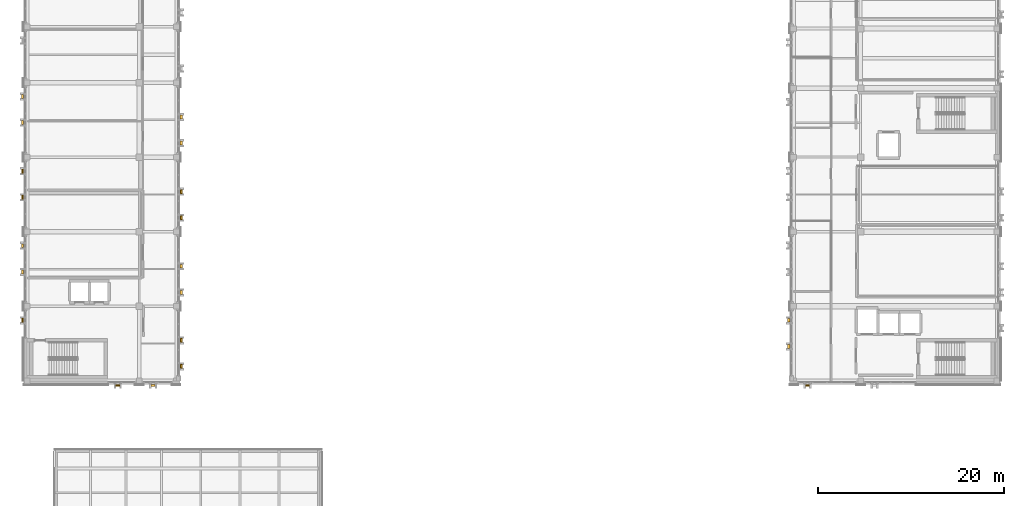
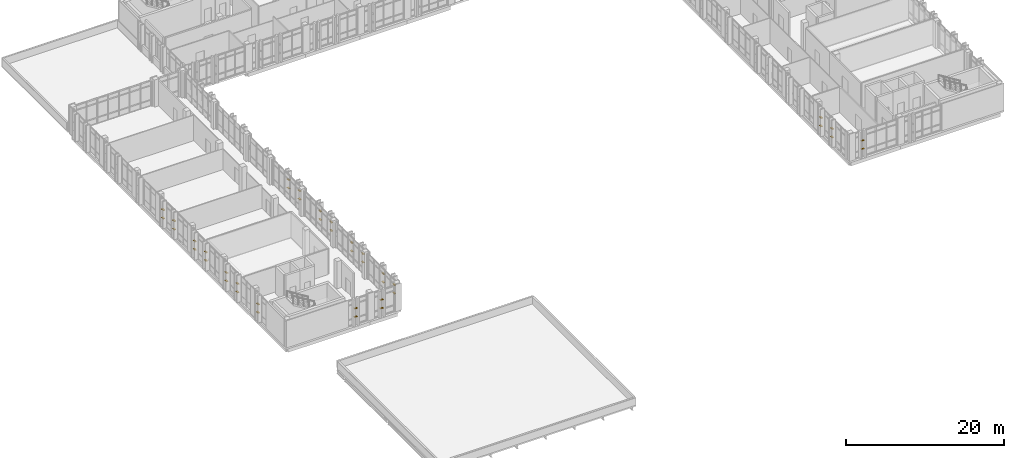
# One storey, part 87 of 90: 40 shading devices.
"""IFC4 building model written with IfcOpenShell, lengths in metres."""

from ifc_helpers import new_model, si_unit, direction, frame, origin, origin_2d, place, context, subcontext, project, spatial, rectangle, extrude, material, type_object, element, save


model = new_model("IFC4")

# Units and contexts
model_context = context("Model", 3, precision=1e-05, world=origin(), true_north=direction((0.0, 1.0)))
body_context = subcontext(model_context, "Body", "Model", "MODEL_VIEW")
ifc_project = project(units=[si_unit("LENGTHUNIT", "METRE"), si_unit("AREAUNIT", "SQUARE_METRE"), si_unit("VOLUMEUNIT", "CUBIC_METRE"), si_unit("PLANEANGLEUNIT", "RADIAN"), si_unit("MASSUNIT", "GRAM", prefix="KILO")], contexts=[model_context])

# Site, building, storey
site_placement = place(None, origin())
site = spatial("IfcSite", under=ifc_project, at=site_placement, CompositionType="ELEMENT")
building_placement = place(site_placement, origin())
building = spatial("IfcBuilding", under=site, at=building_placement, Name="Qalavern Law Courts", CompositionType="ELEMENT")
storey_placement = place(building_placement, frame((0.0, 0.0, 22.800048828125)))
storey = spatial("IfcBuildingStorey", under=building, at=storey_placement, Name="L05", CompositionType="ELEMENT", Elevation=22.800048828125)

# Shading devices
ifc_material = material(Name="Anodised aluminium", Category="aluminium")
shading_device_type_1 = type_object("IfcShadingDeviceType", Name="ENV-LOUV-1", PredefinedType="JALOUSIE", material=ifc_material)
for number, where, z_axis, x_axis, name in (
    (1, (12.10009765625, 40.902587890625, 1.345458984375), (0.0, 0.0, 1.0), (1.0, 0.0, 0.0), "Horizontal sun louvre V3-L05-0-1"),
    (2, (12.10009765625, 40.902587890625, 2.642333984375), (0.0, 0.0, 1.0), (1.0, 0.0, 0.0), "Horizontal sun louvre V3-L05-0-2"),
    (3, (18.91748046875, 42.949951171875, 1.345458984375), (0.0, 0.0, 1.0), (0.0, 1.0, 0.0), "Horizontal sun louvre V3-L05-0-1"),
    (4, (18.91748046875, 42.949951171875, 2.642333984375), (0.0, 0.0, 1.0), (0.0, 1.0, 0.0), "Horizontal sun louvre V3-L05-0-2"),
    (5, (18.91748046875, 45.75, 1.345458984375), (0.0, 0.0, 1.0), (0.0, 1.0, 0.0), "Horizontal sun louvre V3-L05-1-1"),
    (6, (18.91748046875, 45.75, 2.642333984375), (0.0, 0.0, 1.0), (0.0, 1.0, 0.0), "Horizontal sun louvre V3-L05-1-2"),
    (7, (18.91748046875, 58.89990234375, 1.345458984375), (0.0, 0.0, 1.0), (0.0, 1.0, 0.0), "Horizontal sun louvre V3-L05-0-1"),
    (8, (18.91748046875, 58.89990234375, 2.642333984375), (0.0, 0.0, 1.0), (0.0, 1.0, 0.0), "Horizontal sun louvre V3-L05-0-2"),
    (9, (18.91748046875, 61.699951171875, 1.345458984375), (0.0, 0.0, 1.0), (0.0, 1.0, 0.0), "Horizontal sun louvre V3-L05-1-1"),
    (10, (18.91748046875, 61.699951171875, 2.642333984375), (0.0, 0.0, 1.0), (0.0, 1.0, 0.0), "Horizontal sun louvre V3-L05-1-2"),
    (11, (1.882568359375, 63.89990234375, 1.345458984375), (0.0, 0.0, 1.0), (0.0, -1.0, 0.0), "Horizontal sun louvre V3-L05-0-1"),
    (12, (1.882568359375, 63.89990234375, 2.642333984375), (0.0, 0.0, 1.0), (0.0, -1.0, 0.0), "Horizontal sun louvre V3-L05-0-2"),
    (13, (1.882568359375, 61.10009765625, 1.345458984375), (0.0, 0.0, 1.0), (0.0, -1.0, 0.0), "Horizontal sun louvre V3-L05-1-1"),
    (14, (1.882568359375, 61.10009765625, 2.642333984375), (0.0, 0.0, 1.0), (0.0, -1.0, 0.0), "Horizontal sun louvre V3-L05-1-2"),
    (15, (1.882568359375, 47.89990234375, 1.345458984375), (0.0, 0.0, 1.0), (0.0, -1.0, 0.0), "Horizontal sun louvre V3-L05-0-1"),
    (16, (1.882568359375, 47.89990234375, 2.642333984375), (0.0, 0.0, 1.0), (0.0, -1.0, 0.0), "Horizontal sun louvre V3-L05-0-2"),
    (17, (86.10009765625, 40.902587890625, 1.345458984375), (0.0, 0.0, 1.0), (1.0, 0.0, 0.0), "Horizontal sun louvre V4-L05-0-1"),
    (18, (86.10009765625, 40.902587890625, 2.642333984375), (0.0, 0.0, 1.0), (1.0, 0.0, 0.0), "Horizontal sun louvre V4-L05-0-2"),
):
    element("IfcShadingDevice", number, at=place(storey_placement, frame(where, z_axis=z_axis, x_axis=x_axis)), inside=storey, type_object=shading_device_type_1, Name=name, PredefinedType="JALOUSIE", context=body_context, shape_type="SweptSolid", body=[
        extrude(rectangle(XDim=0.419921875, YDim=0.2099609375, at=origin_2d()), origin(), (0.0, 0.0, 1.0), 0.06005859375),
    ])
shading_device_type_2 = type_object("IfcShadingDeviceType", Name="ENV-LOUV-2", PredefinedType="JALOUSIE", material=ifc_material)
for number, where, z_axis, x_axis, name in (
    (19, (15.89990234375, 40.902587890625, 1.345458984375), (0.0, 0.0, 1.0), (1.0, 0.0, 0.0), "Horizontal sun louvre V3-L05-0-1"),
    (20, (15.89990234375, 40.902587890625, 2.642333984375), (0.0, 0.0, 1.0), (1.0, 0.0, 0.0), "Horizontal sun louvre V3-L05-0-2"),
    (21, (18.91748046875, 50.89990234375, 1.345458984375), (0.0, 0.0, 1.0), (0.0, 1.0, 0.0), "Horizontal sun louvre V3-L05-0-1"),
    (22, (18.91748046875, 50.89990234375, 2.642333984375), (0.0, 0.0, 1.0), (0.0, 1.0, 0.0), "Horizontal sun louvre V3-L05-0-2"),
    (23, (18.91748046875, 53.699951171875, 1.345458984375), (0.0, 0.0, 1.0), (0.0, 1.0, 0.0), "Horizontal sun louvre V3-L05-1-1"),
    (24, (18.91748046875, 53.699951171875, 2.642333984375), (0.0, 0.0, 1.0), (0.0, 1.0, 0.0), "Horizontal sun louvre V3-L05-1-2"),
    (25, (18.91748046875, 66.89990234375, 1.345458984375), (0.0, 0.0, 1.0), (0.0, 1.0, 0.0), "Horizontal sun louvre V3-L05-0-1"),
    (26, (18.91748046875, 66.89990234375, 2.642333984375), (0.0, 0.0, 1.0), (0.0, 1.0, 0.0), "Horizontal sun louvre V3-L05-0-2"),
    (27, (18.91748046875, 69.699951171875, 1.345458984375), (0.0, 0.0, 1.0), (0.0, 1.0, 0.0), "Horizontal sun louvre V3-L05-1-1"),
    (28, (18.91748046875, 69.699951171875, 2.642333984375), (0.0, 0.0, 1.0), (0.0, 1.0, 0.0), "Horizontal sun louvre V3-L05-1-2"),
    (29, (1.882568359375, 71.89990234375, 1.345458984375), (0.0, 0.0, 1.0), (0.0, -1.0, 0.0), "Horizontal sun louvre V3-L05-0-1"),
    (30, (1.882568359375, 71.89990234375, 2.642333984375), (0.0, 0.0, 1.0), (0.0, -1.0, 0.0), "Horizontal sun louvre V3-L05-0-2"),
    (31, (1.882568359375, 69.10009765625, 1.345458984375), (0.0, 0.0, 1.0), (0.0, -1.0, 0.0), "Horizontal sun louvre V3-L05-1-1"),
    (32, (1.882568359375, 69.10009765625, 2.642333984375), (0.0, 0.0, 1.0), (0.0, -1.0, 0.0), "Horizontal sun louvre V3-L05-1-2"),
    (33, (1.882568359375, 55.89990234375, 1.345458984375), (0.0, 0.0, 1.0), (0.0, -1.0, 0.0), "Horizontal sun louvre V3-L05-0-1"),
    (34, (1.882568359375, 55.89990234375, 2.642333984375), (0.0, 0.0, 1.0), (0.0, -1.0, 0.0), "Horizontal sun louvre V3-L05-0-2"),
    (35, (1.882568359375, 53.10009765625, 1.345458984375), (0.0, 0.0, 1.0), (0.0, -1.0, 0.0), "Horizontal sun louvre V3-L05-1-1"),
    (36, (1.882568359375, 53.10009765625, 2.642333984375), (0.0, 0.0, 1.0), (0.0, -1.0, 0.0), "Horizontal sun louvre V3-L05-1-2"),
    (37, (84.08251953125, 47.89990234375, 1.345458984375), (0.0, 0.0, 1.0), (0.0, -1.0, 0.0), "Horizontal sun louvre V4-L05-0-1"),
    (38, (84.08251953125, 47.89990234375, 2.642333984375), (0.0, 0.0, 1.0), (0.0, -1.0, 0.0), "Horizontal sun louvre V4-L05-0-2"),
    (39, (84.08251953125, 45.10009765625, 1.345458984375), (0.0, 0.0, 1.0), (0.0, -1.0, 0.0), "Horizontal sun louvre V4-L05-1-1"),
    (40, (84.08251953125, 45.10009765625, 2.642333984375), (0.0, 0.0, 1.0), (0.0, -1.0, 0.0), "Horizontal sun louvre V4-L05-1-2"),
):
    element("IfcShadingDevice", number, at=place(storey_placement, frame(where, z_axis=z_axis, x_axis=x_axis)), inside=storey, type_object=shading_device_type_2, Name=name, PredefinedType="JALOUSIE", context=body_context, shape_type="SweptSolid", body=[
        extrude(rectangle(XDim=0.419921875, YDim=0.25, at=origin_2d()), origin(), (0.0, 0.0, 1.0), 0.06005859375),
    ])

save(model, "model.ifc")
